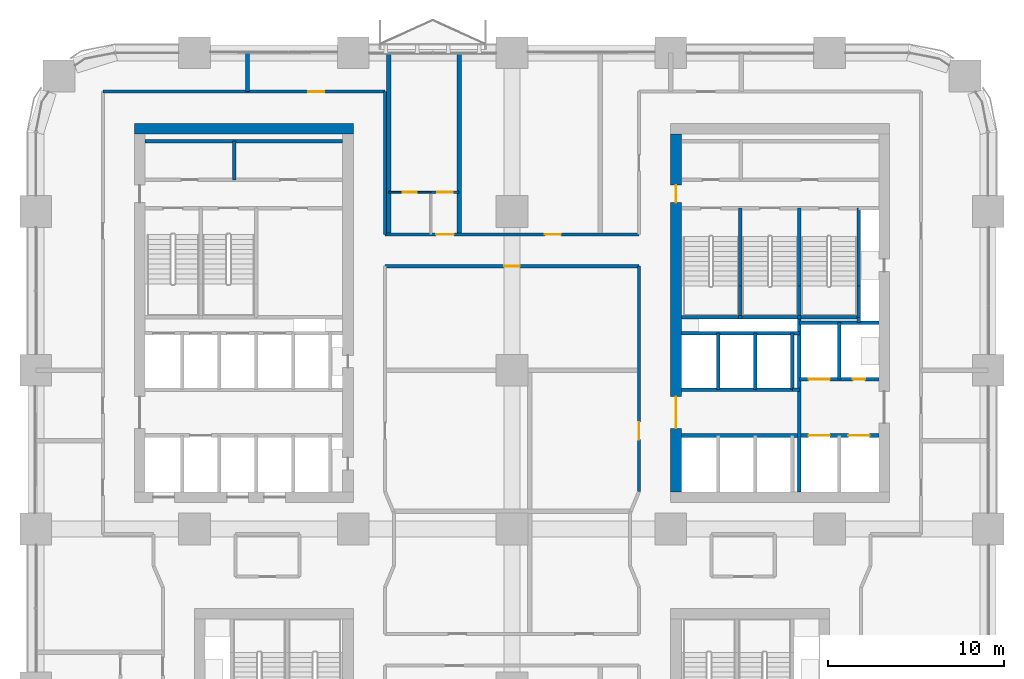
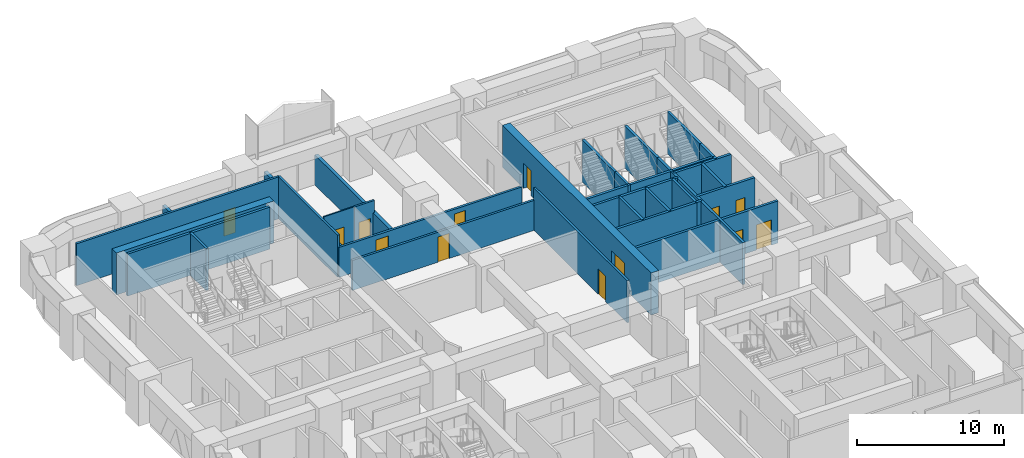
# One storey, part 18 of 23: 37 walls, 13 doors, 13 openings.
"""IFC4 building model written with IfcOpenShell, lengths in metres."""

from ifc_helpers import new_model, si_unit, direction, frame, frame_2d, origin, place, context, subcontext, project, spatial, rectangle, extrude, material, layer, layer_set, type_object, element, fill, save


model = new_model("IFC4")

# Units and contexts
model_context = context("Model", 3, precision=1e-05, world=origin(), true_north=direction((0.0, 1.0)))
body_context = subcontext(model_context, "Body", "Model", "MODEL_VIEW")
ifc_project = project(units=[si_unit("LENGTHUNIT", "METRE"), si_unit("AREAUNIT", "SQUARE_METRE"), si_unit("VOLUMEUNIT", "CUBIC_METRE"), si_unit("PLANEANGLEUNIT", "RADIAN"), si_unit("MASSUNIT", "GRAM", prefix="KILO")], contexts=[model_context])

# Site, building, storey
site_placement = place(None, origin())
site = spatial("IfcSite", under=ifc_project, at=site_placement, CompositionType="ELEMENT")
building_placement = place(site_placement, origin())
building = spatial("IfcBuilding", under=site, at=building_placement, Name="Tessera Arch", CompositionType="ELEMENT")
storey_placement = place(building_placement, frame((0.0, 0.0, 34.800048828125)))
storey = spatial("IfcBuildingStorey", under=building, at=storey_placement, Name="L06", CompositionType="ELEMENT", Elevation=34.800048828125)

# Walls
ifc_material_1 = material(Name="Gypsum board on steel stud", Category="steel")
ifc_layer_1 = layer(ifc_material_1, 0.125)
ifc_layer_set_1 = layer_set([ifc_layer_1], Name="Core partition 125 EI 60")
wall_type_1 = type_object("IfcWallType", Name="Core partition 125 EI 60", PredefinedType="PARTITIONING", material=ifc_layer_set_1)
wall_1_placement = place(storey_placement, frame((42.89990234375, 34.89990234375, 0.0), z_axis=(0.0, 0.0, 1.0), x_axis=(1.0, 0.0, 0.0)))
element("IfcWall", 1, at=wall_1_placement, inside=storey, type_object=wall_type_1, Name="L06 C1 partition wall 19", PredefinedType="PARTITIONING", context=body_context, shape_type="SweptSolid", body=[
    extrude(rectangle(XDim=0.400146484375, YDim=0.199951171875, at=frame_2d((0.2001953125, 0.0))), origin(), (0.0, 0.0, 1.0), 3.5),
])
wall_2_placement = place(storey_placement, frame((11.239990234375, 46.800048828125, 0.0), z_axis=(0.0, 0.0, 1.0), x_axis=(0.0, 1.0, 0.0)))
element("IfcWall", 2, at=wall_2_placement, inside=storey, type_object=wall_type_1, Name="L06 C2 partition wall 7", PredefinedType="PARTITIONING", context=body_context, shape_type="SweptSolid", body=[
    extrude(rectangle(XDim=2.199951171875, YDim=0.199951171875, at=frame_2d((1.10009765625, 0.0))), origin(), (0.0, 0.0, 1.0), 3.5),
])
wall_3_placement = place(storey_placement, frame((6.199951171875, 49.0, 0.0), z_axis=(0.0, 0.0, 1.0), x_axis=(1.0, 0.0, 0.0)))
element("IfcWall", 3, at=wall_3_placement, inside=storey, type_object=wall_type_1, Name="L06 C2 partition wall 26", PredefinedType="PARTITIONING", context=body_context, shape_type="SweptSolid", body=[
    extrude(rectangle(XDim=11.199951171875, YDim=0.199951171875, at=frame_2d((5.60009765625, 0.0))), origin(), (0.0, 0.0, 1.0), 3.5),
])

# Wall, openings, doors
ifc_material_2 = material(Name="Concrete C70/85", Category="concrete")
ifc_layer_2 = layer(ifc_material_2, 0.60009765625)
ifc_layer_set_2 = layer_set([ifc_layer_2], Name="Core shell wall 600 C70-85")
wall_type_2 = type_object("IfcWallType", Name="Core shell wall 600 C70-85", PredefinedType="SHEAR", material=ifc_layer_set_2)
wall_4_placement = place(storey_placement, frame((36.300048828125, 29.10009765625, 0.0), z_axis=(0.0, 0.0, 1.0), x_axis=(0.0, 1.0, 0.0)))
wall_4 = element("IfcWall", 4, at=wall_4_placement, inside=storey, type_object=wall_type_2, Name="L06 C1 core wall W", PredefinedType="SHEAR", context=body_context, shape_type="SweptSolid", body=[
    extrude(rectangle(XDim=20.2998046875, YDim=0.60009765625, at=frame_2d((10.14990234375, 0.0))), origin(), (0.0, 0.0, 1.0), 3.5),
])
opening_1_placement = place(wall_4_placement, frame((3.60009765625, 0.0, 0.0)))
opening_1 = element("IfcOpeningElement", 5, at=opening_1_placement, cuts=wall_4, Name="Opening L06-C04", PredefinedType="OPENING", context=body_context, shape_type="SweptSolid", body=[
    extrude(rectangle(XDim=1.800048828125, YDim=2.10009765625, at=frame_2d((0.89990234375, 1.050048828125))), frame((0.0, 0.31005859375, 0.0), z_axis=(0.0, -1.0, 0.0), x_axis=(1.0, 0.0, 0.0)), (0.0, 0.0, 1.0), 0.6201171875),
])
opening_2_placement = place(wall_4_placement, frame((16.39990234375, 0.0, 0.0)))
opening_2 = element("IfcOpeningElement", 6, at=opening_2_placement, cuts=wall_4, Name="Opening L06-C11", PredefinedType="OPENING", context=body_context, shape_type="SweptSolid", body=[
    extrude(rectangle(XDim=1.0, YDim=2.10009765625, at=frame_2d((0.5, 1.050048828125))), frame((0.0, 0.31005859375, 0.0), z_axis=(0.0, -1.0, 0.0), x_axis=(1.0, 0.0, 0.0)), (0.0, 0.0, 1.0), 0.6201171875),
])
ifc_material_3 = material(Name="Steel door leaf", Category="steel")
door_type_1 = type_object("IfcDoorType", Name="Corridor door FD60 1000 x 2100", OperationType="SINGLE_SWING_LEFT", PredefinedType="DOOR", material=ifc_material_3)
door_1_placement = place(opening_2_placement, origin())
door_1 = element("IfcDoor", 7, at=door_1_placement, inside=storey, type_object=door_type_1, Name="L06 C1 door 11 C11 type D12", OperationType="SINGLE_SWING_RIGHT", OverallHeight=2.10009765625, OverallWidth=1.0, PredefinedType="DOOR", context=body_context, shape_type="SweptSolid", body=[
    extrude(rectangle(XDim=1.0, YDim=2.10009765625, at=frame_2d((0.5, 1.050048828125))), frame((0.0, 0.02490234375, 0.0), z_axis=(0.0, -1.0, 0.0), x_axis=(1.0, 0.0, 0.0)), (0.0, 0.0, 1.0), 0.050048828125),
])
fill(opening_2, door_1)
ifc_material_4 = material(Name="Glazed steel door leaf", Category="steel")
door_type_2 = type_object("IfcDoorType", Name="Lobby double door FD30S 1800 x 2100", OperationType="DOUBLE_DOOR_SINGLE_SWING", PredefinedType="DOOR", material=ifc_material_4)
door_2_placement = place(opening_1_placement, origin())
door_2 = element("IfcDoor", 8, at=door_2_placement, inside=storey, type_object=door_type_2, Name="L06 C1 door 4 C04 type D06", OperationType="DOUBLE_DOOR_SINGLE_SWING", OverallHeight=2.10009765625, OverallWidth=1.800048828125, PredefinedType="DOOR", context=body_context, shape_type="SweptSolid", body=[
    extrude(rectangle(XDim=1.800048828125, YDim=2.10009765625, at=frame_2d((0.89990234375, 1.050048828125))), frame((0.0, 0.02490234375, 0.0), z_axis=(0.0, -1.0, 0.0), x_axis=(1.0, 0.0, 0.0)), (0.0, 0.0, 1.0), 0.050048828125),
])
fill(opening_1, door_2)

# Wall
wall_5_placement = place(storey_placement, frame((5.60009765625, 49.699951171875, 0.0), z_axis=(0.0, 0.0, 1.0), x_axis=(1.0, 0.0, 0.0)))
element("IfcWall", 9, at=wall_5_placement, inside=storey, type_object=wall_type_2, Name="L06 C2 core wall N", PredefinedType="SHEAR", context=body_context, shape_type="SweptSolid", body=[
    extrude(rectangle(XDim=12.39990234375, YDim=0.60009765625, at=frame_2d((6.199951171875, 0.0))), origin(), (0.0, 0.0, 1.0), 3.5),
])

# Wall, opening, door
ifc_material_5 = material(Name="Gypsum board on deep steel stud with mineral wool", Category="steel")
ifc_layer_3 = layer(ifc_material_5, 0.175048828125)
ifc_layer_set_3 = layer_set([ifc_layer_3], Name="Corridor wall 175 EI 60")
wall_type_3 = type_object("IfcWallType", Name="Corridor wall 175 EI 60", PredefinedType="PARTITIONING", material=ifc_layer_set_3)
wall_6_placement = place(storey_placement, frame((19.800048828125, 41.89990234375, 0.0), z_axis=(0.0, 0.0, 1.0), x_axis=(1.0, 0.0, 0.0)))
wall_6 = element("IfcWall", 10, at=wall_6_placement, inside=storey, type_object=wall_type_3, Name="L06 partition 11", PredefinedType="PARTITIONING", context=body_context, shape_type="SweptSolid", body=[
    extrude(rectangle(XDim=14.39990234375, YDim=0.175048828125, at=frame_2d((7.199951171875, 0.0))), origin(), (0.0, 0.0, 1.0), 2.5),
])
opening_3_placement = place(wall_6_placement, frame((6.75, 0.0, 0.0)))
opening_3 = element("IfcOpeningElement", 11, at=opening_3_placement, cuts=wall_6, Name="Opening L06-D033", PredefinedType="OPENING", context=body_context, shape_type="SweptSolid", body=[
    extrude(rectangle(XDim=0.89990234375, YDim=2.10009765625, at=frame_2d((0.449951171875, 1.050048828125))), frame((0.0, 0.097412109375, 0.0), z_axis=(0.0, -1.0, 0.0), x_axis=(1.0, 0.0, 0.0)), (0.0, 0.0, 1.0), 0.195068359375),
])
ifc_material_6 = material(Name="Timber door leaf", Category="wood")
door_type_3 = type_object("IfcDoorType", Name="Room door 900 x 2100", OperationType="SINGLE_SWING_LEFT", PredefinedType="DOOR", material=ifc_material_6)
door_3_placement = place(opening_3_placement, origin())
door_3 = element("IfcDoor", 12, at=door_3_placement, inside=storey, type_object=door_type_3, Name="L06 door D033 type D01", OperationType="SINGLE_SWING_LEFT", OverallHeight=2.10009765625, OverallWidth=0.89990234375, PredefinedType="DOOR", context=body_context, shape_type="SweptSolid", body=[
    extrude(rectangle(XDim=0.89990234375, YDim=2.10009765625, at=frame_2d((0.449951171875, 1.050048828125))), frame((0.0, 0.02490234375, 0.0), z_axis=(0.0, -1.0, 0.0), x_axis=(1.0, 0.0, 0.0)), (0.0, 0.0, 1.0), 0.050048828125),
])
fill(opening_3, door_3)

# Wall, openings, doors
wall_7_placement = place(storey_placement, frame((19.800048828125, 43.699951171875, 0.0), z_axis=(0.0, 0.0, 1.0), x_axis=(1.0, 0.0, 0.0)))
wall_7 = element("IfcWall", 13, at=wall_7_placement, inside=storey, type_object=wall_type_3, Name="L06 partition 12", PredefinedType="PARTITIONING", context=body_context, shape_type="SweptSolid", body=[
    extrude(rectangle(XDim=14.39990234375, YDim=0.175048828125, at=frame_2d((7.199951171875, 0.0))), origin(), (0.0, 0.0, 1.0), 2.5),
])
opening_4_placement = place(wall_7_placement, frame((2.89990234375, 0.0, 0.0)))
opening_4 = element("IfcOpeningElement", 14, at=opening_4_placement, cuts=wall_7, Name="Opening L06-D036", PredefinedType="OPENING", context=body_context, shape_type="SweptSolid", body=[
    extrude(rectangle(XDim=1.0, YDim=2.10009765625, at=frame_2d((0.5, 1.050048828125))), frame((0.0, 0.097412109375, 0.0), z_axis=(0.0, -1.0, 0.0), x_axis=(1.0, 0.0, 0.0)), (0.0, 0.0, 1.0), 0.195068359375),
])
opening_5_placement = place(wall_7_placement, frame((9.070068359375, 0.0, 0.0)))
opening_5 = element("IfcOpeningElement", 15, at=opening_5_placement, cuts=wall_7, Name="Opening L06-D039", PredefinedType="OPENING", context=body_context, shape_type="SweptSolid", body=[
    extrude(rectangle(XDim=0.89990234375, YDim=2.10009765625, at=frame_2d((0.449951171875, 1.050048828125))), frame((0.0, 0.097412109375, 0.0), z_axis=(0.0, -1.0, 0.0), x_axis=(1.0, 0.0, 0.0)), (0.0, 0.0, 1.0), 0.195068359375),
])
ifc_material_7 = material(Name="Fire-rated door leaf")
door_type_4 = type_object("IfcDoorType", Name="Entrance door FD30S 1000 x 2100", OperationType="SINGLE_SWING_LEFT", PredefinedType="DOOR", material=ifc_material_7)
door_4_placement = place(opening_4_placement, origin())
door_4 = element("IfcDoor", 16, at=door_4_placement, inside=storey, type_object=door_type_4, Name="L06 door D036 type D03", OperationType="SINGLE_SWING_LEFT", OverallHeight=2.10009765625, OverallWidth=1.0, PredefinedType="DOOR", context=body_context, shape_type="SweptSolid", body=[
    extrude(rectangle(XDim=1.0, YDim=2.10009765625, at=frame_2d((0.5, 1.050048828125))), frame((0.0, 0.02490234375, 0.0), z_axis=(0.0, -1.0, 0.0), x_axis=(1.0, 0.0, 0.0)), (0.0, 0.0, 1.0), 0.050048828125),
])
fill(opening_4, door_4)
door_5_placement = place(opening_5_placement, origin())
door_5 = element("IfcDoor", 17, at=door_5_placement, inside=storey, type_object=door_type_3, Name="L06 door D039 type D01", OperationType="SINGLE_SWING_RIGHT", OverallHeight=2.10009765625, OverallWidth=0.89990234375, PredefinedType="DOOR", context=body_context, shape_type="SweptSolid", body=[
    extrude(rectangle(XDim=0.89990234375, YDim=2.10009765625, at=frame_2d((0.449951171875, 1.050048828125))), frame((0.0, 0.02490234375, 0.0), z_axis=(0.0, -1.0, 0.0), x_axis=(1.0, 0.0, 0.0)), (0.0, 0.0, 1.0), 0.050048828125),
])
fill(opening_5, door_5)

# Wall, opening, door
wall_8_placement = place(storey_placement, frame((3.800048828125, 51.800048828125, 0.0), z_axis=(0.0, 0.0, 1.0), x_axis=(1.0, 0.0, 0.0)))
wall_8 = element("IfcWall", 18, at=wall_8_placement, inside=storey, type_object=wall_type_3, Name="L06 partition 13", PredefinedType="PARTITIONING", context=body_context, shape_type="SweptSolid", body=[
    extrude(rectangle(XDim=16.0, YDim=0.175048828125, at=frame_2d((8.0, 0.0))), origin(), (0.0, 0.0, 1.0), 3.5),
])
opening_6_placement = place(wall_8_placement, frame((11.64990234375, 0.0, 0.0)))
opening_6 = element("IfcOpeningElement", 19, at=opening_6_placement, cuts=wall_8, Name="Opening L06-D041", PredefinedType="OPENING", context=body_context, shape_type="SweptSolid", body=[
    extrude(rectangle(XDim=0.89990234375, YDim=2.10009765625, at=frame_2d((0.449951171875, 1.050048828125))), frame((0.0, 0.097412109375, 0.0), z_axis=(0.0, -1.0, 0.0), x_axis=(1.0, 0.0, 0.0)), (0.0, 0.0, 1.0), 0.195068359375),
])
door_6_placement = place(opening_6_placement, origin())
door_6 = element("IfcDoor", 20, at=door_6_placement, inside=storey, type_object=door_type_3, Name="L06 door D041 type D01", OperationType="SINGLE_SWING_RIGHT", OverallHeight=2.10009765625, OverallWidth=0.89990234375, PredefinedType="DOOR", context=body_context, shape_type="SweptSolid", body=[
    extrude(rectangle(XDim=0.89990234375, YDim=2.10009765625, at=frame_2d((0.449951171875, 1.050048828125))), frame((0.0, 0.02490234375, 0.0), z_axis=(0.0, -1.0, 0.0), x_axis=(1.0, 0.0, 0.0)), (0.0, 0.0, 1.0), 0.050048828125),
])
fill(opening_6, door_6)

# Wall
wall_9_placement = place(storey_placement, frame((19.800048828125, 43.699951171875, 0.0), z_axis=(0.0, 0.0, 1.0), x_axis=(0.0, 1.0, 0.0)))
element("IfcWall", 21, at=wall_9_placement, inside=storey, type_object=wall_type_3, Name="L06 partition 23", PredefinedType="PARTITIONING", context=body_context, shape_type="SweptSolid", body=[
    extrude(rectangle(XDim=8.10009765625, YDim=0.175048828125, at=frame_2d((4.050048828125, 0.0))), origin(), (0.0, 0.0, 1.0), 3.5),
])

# Wall, opening, door
wall_10_placement = place(storey_placement, frame((34.199951171875, 29.1201171875, 0.0), z_axis=(0.0, 0.0, 1.0), x_axis=(0.0, 1.0, 0.0)))
wall_10 = element("IfcWall", 22, at=wall_10_placement, inside=storey, type_object=wall_type_3, Name="L06 partition 28", PredefinedType="PARTITIONING", context=body_context, shape_type="SweptSolid", body=[
    extrude(rectangle(XDim=12.77978515625, YDim=0.175048828125, at=frame_2d((6.389892578125, 0.0))), origin(), (0.0, 0.0, 1.0), 3.5),
])
opening_7_placement = place(wall_10_placement, frame((2.93994140625, 0.0, 0.0)))
opening_7 = element("IfcOpeningElement", 23, at=opening_7_placement, cuts=wall_10, Name="Opening L06-D030", PredefinedType="OPENING", context=body_context, shape_type="SweptSolid", body=[
    extrude(rectangle(XDim=1.0, YDim=2.10009765625, at=frame_2d((0.5, 1.050048828125))), frame((0.0, 0.097412109375, 0.0), z_axis=(0.0, -1.0, 0.0), x_axis=(1.0, 0.0, 0.0)), (0.0, 0.0, 1.0), 0.195068359375),
])
door_7_placement = place(opening_7_placement, origin())
door_7 = element("IfcDoor", 24, at=door_7_placement, inside=storey, type_object=door_type_4, Name="L06 door D030 type D03", OperationType="SINGLE_SWING_LEFT", OverallHeight=2.10009765625, OverallWidth=1.0, PredefinedType="DOOR", context=body_context, shape_type="SweptSolid", body=[
    extrude(rectangle(XDim=1.0, YDim=2.10009765625, at=frame_2d((0.5, 1.050048828125))), frame((0.0, 0.02490234375, 0.0), z_axis=(0.0, -1.0, 0.0), x_axis=(1.0, 0.0, 0.0)), (0.0, 0.0, 1.0), 0.050048828125),
])
fill(opening_7, door_7)

ifc_material_8 = material(Name="Gypsum board on steel stud", Category="steel")
ifc_layer_4 = layer(ifc_material_8, 0.14990234375)
ifc_layer_set_4 = layer_set([ifc_layer_4], Name="Partition 150")
wall_type_4 = type_object("IfcWallType", Name="Partition 150", PredefinedType="PARTITIONING", material=ifc_layer_set_4)
wall_11_placement = place(storey_placement, frame((22.39990234375, 46.10009765625, 0.0), z_axis=(0.0, 0.0, 1.0), x_axis=(1.0, 0.0, 0.0)))
wall_11 = element("IfcWall", 25, at=wall_11_placement, inside=storey, type_object=wall_type_4, Name="L06 partition 37", PredefinedType="PARTITIONING", context=body_context, shape_type="SweptSolid", body=[
    extrude(rectangle(XDim=1.60009765625, YDim=0.14990234375, at=frame_2d((0.800048828125, 0.0))), origin(), (0.0, 0.0, 1.0), 3.5),
])
opening_8_placement = place(wall_11_placement, frame((0.35009765625, 0.0, 0.0)))
opening_8 = element("IfcOpeningElement", 26, at=opening_8_placement, cuts=wall_11, Name="Opening L06-D037", PredefinedType="OPENING", context=body_context, shape_type="SweptSolid", body=[
    extrude(rectangle(XDim=0.89990234375, YDim=2.10009765625, at=frame_2d((0.449951171875, 1.050048828125))), frame((0.0, 0.0849609375, 0.0), z_axis=(0.0, -1.0, 0.0), x_axis=(1.0, 0.0, 0.0)), (0.0, 0.0, 1.0), 0.169921875),
])
door_8_placement = place(opening_8_placement, origin())
door_8 = element("IfcDoor", 27, at=door_8_placement, inside=storey, type_object=door_type_3, Name="L06 door D037 type D01", OperationType="SINGLE_SWING_RIGHT", OverallHeight=2.10009765625, OverallWidth=0.89990234375, PredefinedType="DOOR", context=body_context, shape_type="SweptSolid", body=[
    extrude(rectangle(XDim=0.89990234375, YDim=2.10009765625, at=frame_2d((0.449951171875, 1.050048828125))), frame((0.0, 0.02490234375, 0.0), z_axis=(0.0, -1.0, 0.0), x_axis=(1.0, 0.0, 0.0)), (0.0, 0.0, 1.0), 0.050048828125),
])
fill(opening_8, door_8)

# Walls
ifc_material_9 = material(Name="Double gypsum board on twin steel stud with acoustic mineral wool", Category="steel")
ifc_layer_5 = layer(ifc_material_9, 0.25)
ifc_layer_set_5 = layer_set([ifc_layer_5], Name="Party wall 250 EI 60")
wall_type_5 = type_object("IfcWallType", Name="Party wall 250 EI 60", PredefinedType="PARTITIONING", material=ifc_layer_set_5)
wall_12_placement = place(storey_placement, frame((12.0, 51.800048828125, 0.0), z_axis=(0.0, 0.0, 1.0), x_axis=(0.0, 1.0, 0.0)))
element("IfcWall", 28, at=wall_12_placement, inside=storey, type_object=wall_type_5, Name="L06 partition 57", PredefinedType="PARTITIONING", context=body_context, shape_type="SweptSolid", body=[
    extrude(rectangle(XDim=2.199951171875, YDim=0.25, at=frame_2d((1.10009765625, 0.0))), origin(), (0.0, 0.0, 1.0), 2.5),
])
for number, where, z_axis, x_axis, name in (
    (29, (20.0, 43.699951171875, 0.0), (0.0, 0.0, 1.0), (0.0, 1.0, 0.0), "L06 partition 59"),
    (30, (24.0, 43.699951171875, 0.0), (0.0, 0.0, 1.0), (0.0, 1.0, 0.0), "L06 partition 61"),
):
    element("IfcWall", number, at=place(storey_placement, frame(where, z_axis=z_axis, x_axis=x_axis)), inside=storey, type_object=wall_type_5, Name=name, PredefinedType="PARTITIONING", context=body_context, shape_type="SweptSolid", body=[
        extrude(rectangle(XDim=10.300048828125, YDim=0.25, at=frame_2d((5.14990234375, 0.0))), origin(), (0.0, 0.0, 1.0), 2.5),
    ])
ifc_material_10 = material(Name="Concrete C40/50", Category="concrete")
ifc_layer_6 = layer(ifc_material_10, 0.199951171875)
ifc_layer_set_6 = layer_set([ifc_layer_6], Name="Shaft wall 200 EI 120")
wall_type_6 = type_object("IfcWallType", Name="Shaft wall 200 EI 120", PredefinedType="SOLIDWALL", material=ifc_layer_set_6)
for number, where, z_axis, x_axis, name in (
    (31, (38.699951171875, 34.89990234375, 0.0), (0.0, 0.0, 1.0), (0.0, 1.0, 0.0), "L06 C1 shaft wall 2"),
    (32, (40.800048828125, 34.89990234375, 0.0), (0.0, 0.0, 1.0), (0.0, 1.0, 0.0), "L06 C1 shaft wall 7"),
    (33, (42.89990234375, 34.89990234375, 0.0), (0.0, 0.0, 1.0), (0.0, 1.0, 0.0), "L06 C1 shaft wall 9"),
):
    element("IfcWall", number, at=place(storey_placement, frame(where, z_axis=z_axis, x_axis=x_axis)), inside=storey, type_object=wall_type_6, Name=name, PredefinedType="SOLIDWALL", context=body_context, shape_type="SweptSolid", body=[
        extrude(rectangle(XDim=3.2001953125, YDim=0.199951171875, at=frame_2d((1.60009765625, 0.0))), origin(), (0.0, 0.0, 1.0), 3.5),
    ])
wall_13_placement = place(storey_placement, frame((43.300048828125, 29.10009765625, 0.0), z_axis=(0.0, 0.0, 1.0), x_axis=(0.0, 1.0, 0.0)))
element("IfcWall", 34, at=wall_13_placement, inside=storey, type_object=wall_type_6, Name="L06 C1 shaft wall 10", PredefinedType="SOLIDWALL", context=body_context, shape_type="SweptSolid", body=[
    extrude(rectangle(XDim=9.89990234375, YDim=0.199951171875, at=frame_2d((4.949951171875, 0.0))), origin(), (0.0, 0.0, 1.0), 3.5),
])
wall_14_placement = place(storey_placement, frame((45.550048828125, 35.5, 0.0), z_axis=(0.0, 0.0, 1.0), x_axis=(0.0, 1.0, 0.0)))
element("IfcWall", 35, at=wall_14_placement, inside=storey, type_object=wall_type_6, Name="L06 C1 shaft wall 14", PredefinedType="SOLIDWALL", context=body_context, shape_type="SweptSolid", body=[
    extrude(rectangle(XDim=3.199951171875, YDim=0.199951171875, at=frame_2d((1.60009765625, 0.0))), origin(), (0.0, 0.0, 1.0), 3.5),
])
wall_15_placement = place(storey_placement, frame((46.64990234375, 38.699951171875, 0.0), z_axis=(0.0, 0.0, 1.0), x_axis=(0.0, 1.0, 0.0)))
element("IfcWall", 36, at=wall_15_placement, inside=storey, type_object=wall_type_6, Name="L06 C1 shaft wall 15", PredefinedType="SOLIDWALL", context=body_context, shape_type="SweptSolid", body=[
    extrude(rectangle(XDim=0.300048828125, YDim=0.199951171875, at=frame_2d((0.14990234375, 0.0))), origin(), (0.0, 0.0, 1.0), 3.5),
])

# Wall, openings, doors
wall_16_placement = place(storey_placement, frame((36.60009765625, 32.300048828125, 0.0), z_axis=(0.0, 0.0, 1.0), x_axis=(1.0, 0.0, 0.0)))
wall_16 = element("IfcWall", 37, at=wall_16_placement, inside=storey, type_object=wall_type_6, Name="L06 C1 shaft wall 18", PredefinedType="SOLIDWALL", context=body_context, shape_type="SweptSolid", body=[
    extrude(rectangle(XDim=11.199951171875, YDim=0.199951171875, at=frame_2d((5.60009765625, 0.0))), origin(), (0.0, 0.0, 1.0), 3.5),
])
opening_9_placement = place(wall_16_placement, frame((7.22509765625, 0.0, 0.0)))
opening_9 = element("IfcOpeningElement", 38, at=opening_9_placement, cuts=wall_16, Name="Opening L06-C01", PredefinedType="OPENING", context=body_context, shape_type="SweptSolid", body=[
    extrude(rectangle(XDim=1.199951171875, YDim=2.10009765625, at=frame_2d((0.60009765625, 1.050048828125))), frame((0.0, 0.10986328125, 0.0), z_axis=(0.0, -1.0, 0.0), x_axis=(1.0, 0.0, 0.0)), (0.0, 0.0, 1.0), 0.219970703125),
])
opening_10_placement = place(wall_16_placement, frame((9.47509765625, 0.0, 0.0)))
opening_10 = element("IfcOpeningElement", 39, at=opening_10_placement, cuts=wall_16, Name="Opening L06-C02", PredefinedType="OPENING", context=body_context, shape_type="SweptSolid", body=[
    extrude(rectangle(XDim=1.199951171875, YDim=2.10009765625, at=frame_2d((0.60009765625, 1.050048828125))), frame((0.0, 0.10986328125, 0.0), z_axis=(0.0, -1.0, 0.0), x_axis=(1.0, 0.0, 0.0)), (0.0, 0.0, 1.0), 0.219970703125),
])
ifc_material_11 = material(Name="Stainless steel AISI 304", Category="steel")
door_type_5 = type_object("IfcDoorType", Name="Sliding landing door 1200 x 2100", OperationType="SLIDING_TO_LEFT", PredefinedType="DOOR", material=ifc_material_11)
door_9_placement = place(opening_9_placement, origin())
door_9 = element("IfcDoor", 40, at=door_9_placement, inside=storey, type_object=door_type_5, Name="L06 FF1 lift landing door C01 type LD", OperationType="SLIDING_TO_LEFT", OverallHeight=2.10009765625, OverallWidth=1.199951171875, PredefinedType="DOOR", context=body_context, shape_type="SweptSolid", body=[
    extrude(rectangle(XDim=1.199951171875, YDim=2.10009765625, at=frame_2d((0.60009765625, 1.050048828125))), frame((0.0, 0.02490234375, 0.0), z_axis=(0.0, -1.0, 0.0), x_axis=(1.0, 0.0, 0.0)), (0.0, 0.0, 1.0), 0.050048828125),
])
fill(opening_9, door_9)
door_10_placement = place(opening_10_placement, origin())
door_10 = element("IfcDoor", 41, at=door_10_placement, inside=storey, type_object=door_type_5, Name="L06 FF2 lift landing door C02 type LD", OperationType="SLIDING_TO_LEFT", OverallHeight=2.10009765625, OverallWidth=1.199951171875, PredefinedType="DOOR", context=body_context, shape_type="SweptSolid", body=[
    extrude(rectangle(XDim=1.199951171875, YDim=2.10009765625, at=frame_2d((0.60009765625, 1.050048828125))), frame((0.0, 0.02490234375, 0.0), z_axis=(0.0, -1.0, 0.0), x_axis=(1.0, 0.0, 0.0)), (0.0, 0.0, 1.0), 0.050048828125),
])
fill(opening_10, door_10)

# Wall
wall_17_placement = place(storey_placement, frame((36.60009765625, 34.89990234375, 0.0), z_axis=(0.0, 0.0, 1.0), x_axis=(1.0, 0.0, 0.0)))
element("IfcWall", 42, at=wall_17_placement, inside=storey, type_object=wall_type_6, Name="L06 C1 shaft wall 20", PredefinedType="SOLIDWALL", context=body_context, shape_type="SweptSolid", body=[
    extrude(rectangle(XDim=6.2998046875, YDim=0.199951171875, at=frame_2d((3.14990234375, 0.0))), origin(), (0.0, 0.0, 1.0), 3.5),
])

# Wall, openings, doors
wall_18_placement = place(storey_placement, frame((43.300048828125, 35.5, 0.0), z_axis=(0.0, 0.0, 1.0), x_axis=(1.0, 0.0, 0.0)))
wall_18 = element("IfcWall", 43, at=wall_18_placement, inside=storey, type_object=wall_type_6, Name="L06 C1 shaft wall 21", PredefinedType="SOLIDWALL", context=body_context, shape_type="SweptSolid", body=[
    extrude(rectangle(XDim=4.5, YDim=0.199951171875, at=frame_2d((2.25, 0.0))), origin(), (0.0, 0.0, 1.0), 3.5),
])
opening_11_placement = place(wall_18_placement, frame((0.52490234375, 0.0, 0.0)))
opening_11 = element("IfcOpeningElement", 44, at=opening_11_placement, cuts=wall_18, Name="Opening L06-C03", PredefinedType="OPENING", context=body_context, shape_type="SweptSolid", body=[
    extrude(rectangle(XDim=1.199951171875, YDim=2.10009765625, at=frame_2d((0.60009765625, 1.050048828125))), frame((0.0, 0.10986328125, 0.0), z_axis=(0.0, -1.0, 0.0), x_axis=(1.0, 0.0, 0.0)), (0.0, 0.0, 1.0), 0.219970703125),
])
opening_12_placement = place(wall_18_placement, frame((3.02490234375, 0.0, 0.0)))
opening_12 = element("IfcOpeningElement", 45, at=opening_12_placement, cuts=wall_18, Name="Opening L06-C10", PredefinedType="OPENING", context=body_context, shape_type="SweptSolid", body=[
    extrude(rectangle(XDim=0.699951171875, YDim=2.10009765625, at=frame_2d((0.35009765625, 1.050048828125))), frame((0.0, 0.10986328125, 0.0), z_axis=(0.0, -1.0, 0.0), x_axis=(1.0, 0.0, 0.0)), (0.0, 0.0, 1.0), 0.219970703125),
])
ifc_material_12 = material(Name="Steel door leaf", Category="steel")
door_type_6 = type_object("IfcDoorType", Name="Service shaft door FD60 700 x 2100", OperationType="SINGLE_SWING_LEFT", PredefinedType="DOOR", material=ifc_material_12)
door_11_placement = place(opening_12_placement, origin())
door_11 = element("IfcDoor", 46, at=door_11_placement, inside=storey, type_object=door_type_6, Name="L06 C1 door 10 C10 type D07", OperationType="SINGLE_SWING_RIGHT", OverallHeight=2.10009765625, OverallWidth=0.699951171875, PredefinedType="DOOR", context=body_context, shape_type="SweptSolid", body=[
    extrude(rectangle(XDim=0.699951171875, YDim=2.10009765625, at=frame_2d((0.35009765625, 1.050048828125))), frame((0.0, 0.02490234375, 0.0), z_axis=(0.0, -1.0, 0.0), x_axis=(1.0, 0.0, 0.0)), (0.0, 0.0, 1.0), 0.050048828125),
])
fill(opening_12, door_11)
door_12_placement = place(opening_11_placement, origin())
door_12 = element("IfcDoor", 47, at=door_12_placement, inside=storey, type_object=door_type_5, Name="L06 SV2 lift landing door C03 type LD", OperationType="SLIDING_TO_LEFT", OverallHeight=2.10009765625, OverallWidth=1.199951171875, PredefinedType="DOOR", context=body_context, shape_type="SweptSolid", body=[
    extrude(rectangle(XDim=1.199951171875, YDim=2.10009765625, at=frame_2d((0.60009765625, 1.050048828125))), frame((0.0, 0.02490234375, 0.0), z_axis=(0.0, -1.0, 0.0), x_axis=(1.0, 0.0, 0.0)), (0.0, 0.0, 1.0), 0.050048828125),
])
fill(opening_11, door_12)

# Walls
wall_19_placement = place(storey_placement, frame((36.60009765625, 38.10009765625, 0.0), z_axis=(0.0, 0.0, 1.0), x_axis=(1.0, 0.0, 0.0)))
element("IfcWall", 48, at=wall_19_placement, inside=storey, type_object=wall_type_6, Name="L06 C1 shaft wall 22", PredefinedType="SOLIDWALL", context=body_context, shape_type="SweptSolid", body=[
    extrude(rectangle(XDim=6.699951171875, YDim=0.199951171875, at=frame_2d((3.35009765625, 0.0))), origin(), (0.0, 0.0, 1.0), 3.5),
])
wall_20_placement = place(storey_placement, frame((43.300048828125, 38.699951171875, 0.0), z_axis=(0.0, 0.0, 1.0), x_axis=(1.0, 0.0, 0.0)))
element("IfcWall", 49, at=wall_20_placement, inside=storey, type_object=wall_type_6, Name="L06 C1 shaft wall 23", PredefinedType="SOLIDWALL", context=body_context, shape_type="SweptSolid", body=[
    extrude(rectangle(XDim=4.5, YDim=0.199951171875, at=frame_2d((2.25, 0.0))), origin(), (0.0, 0.0, 1.0), 3.5),
])
ifc_material_13 = material(Name="Concrete C40/50", Category="concrete")
ifc_layer_7 = layer(ifc_material_13, 0.199951171875)
ifc_layer_set_7 = layer_set([ifc_layer_7], Name="Stair well wall 200 REI 180")
wall_type_7 = type_object("IfcWallType", Name="Stair well wall 200 REI 180", PredefinedType="SOLIDWALL", material=ifc_layer_set_7)
wall_21_placement = place(storey_placement, frame((39.949951171875, 39.0, 0.0), z_axis=(0.0, 0.0, 1.0), x_axis=(0.0, 1.0, 0.0)))
element("IfcWall", 50, at=wall_21_placement, inside=storey, type_object=wall_type_7, Name="L06 C1 shaft wall 3", PredefinedType="SOLIDWALL", context=body_context, shape_type="SweptSolid", body=[
    extrude(rectangle(XDim=1.780029296875, YDim=0.199951171875, at=frame_2d((0.89013671875, 0.0))), origin(), (0.0, 0.0, 1.0), 3.5),
])
wall_22_placement = place(storey_placement, frame((39.949951171875, 40.780029296875, 0.0), z_axis=(0.0, 0.0, 1.0), x_axis=(0.0, 1.0, 0.0)))
element("IfcWall", 51, at=wall_22_placement, inside=storey, type_object=wall_type_7, Name="L06 C1 shaft wall 4", PredefinedType="SOLIDWALL", context=body_context, shape_type="SweptSolid", body=[
    extrude(rectangle(XDim=4.419921875, YDim=0.199951171875, at=frame_2d((2.2099609375, 0.0))), origin(), (0.0, 0.0, 1.0), 3.5),
])
wall_23_placement = place(storey_placement, frame((43.300048828125, 39.0, 0.0), z_axis=(0.0, 0.0, 1.0), x_axis=(0.0, 1.0, 0.0)))
element("IfcWall", 52, at=wall_23_placement, inside=storey, type_object=wall_type_7, Name="L06 C1 shaft wall 11", PredefinedType="SOLIDWALL", context=body_context, shape_type="SweptSolid", body=[
    extrude(rectangle(XDim=1.780029296875, YDim=0.199951171875, at=frame_2d((0.89013671875, 0.0))), origin(), (0.0, 0.0, 1.0), 3.5),
])
wall_24_placement = place(storey_placement, frame((43.300048828125, 40.780029296875, 0.0), z_axis=(0.0, 0.0, 1.0), x_axis=(0.0, 1.0, 0.0)))
element("IfcWall", 53, at=wall_24_placement, inside=storey, type_object=wall_type_7, Name="L06 C1 shaft wall 12", PredefinedType="SOLIDWALL", context=body_context, shape_type="SweptSolid", body=[
    extrude(rectangle(XDim=4.419921875, YDim=0.199951171875, at=frame_2d((2.2099609375, 0.0))), origin(), (0.0, 0.0, 1.0), 3.5),
])
wall_25_placement = place(storey_placement, frame((46.64990234375, 39.0, 0.0), z_axis=(0.0, 0.0, 1.0), x_axis=(0.0, 1.0, 0.0)))
element("IfcWall", 54, at=wall_25_placement, inside=storey, type_object=wall_type_7, Name="L06 C1 shaft wall 16", PredefinedType="SOLIDWALL", context=body_context, shape_type="SweptSolid", body=[
    extrude(rectangle(XDim=1.780029296875, YDim=0.199951171875, at=frame_2d((0.89013671875, 0.0))), origin(), (0.0, 0.0, 1.0), 3.5),
])
wall_26_placement = place(storey_placement, frame((46.64990234375, 40.780029296875, 0.0), z_axis=(0.0, 0.0, 1.0), x_axis=(0.0, 1.0, 0.0)))
element("IfcWall", 55, at=wall_26_placement, inside=storey, type_object=wall_type_7, Name="L06 C1 shaft wall 17", PredefinedType="SOLIDWALL", context=body_context, shape_type="SweptSolid", body=[
    extrude(rectangle(XDim=4.419921875, YDim=0.199951171875, at=frame_2d((2.2099609375, 0.0))), origin(), (0.0, 0.0, 1.0), 3.5),
])
wall_27_placement = place(storey_placement, frame((36.60009765625, 39.0, 0.0), z_axis=(0.0, 0.0, 1.0), x_axis=(1.0, 0.0, 0.0)))
element("IfcWall", 56, at=wall_27_placement, inside=storey, type_object=wall_type_7, Name="L06 C1 shaft wall 24", PredefinedType="SOLIDWALL", context=body_context, shape_type="SweptSolid", body=[
    extrude(rectangle(XDim=3.25, YDim=0.199951171875, at=frame_2d((1.625, 0.0))), origin(), (0.0, 0.0, 1.0), 3.5),
])
wall_28_placement = place(storey_placement, frame((39.85009765625, 39.0, 0.0), z_axis=(0.0, 0.0, 1.0), x_axis=(1.0, 0.0, 0.0)))
element("IfcWall", 57, at=wall_28_placement, inside=storey, type_object=wall_type_7, Name="L06 C1 shaft wall 25", PredefinedType="SOLIDWALL", context=body_context, shape_type="SweptSolid", body=[
    extrude(rectangle(XDim=0.199951171875, YDim=0.199951171875, at=frame_2d((0.10009765625, 0.0))), origin(), (0.0, 0.0, 1.0), 3.5),
])
wall_29_placement = place(storey_placement, frame((40.050048828125, 39.0, 0.0), z_axis=(0.0, 0.0, 1.0), x_axis=(1.0, 0.0, 0.0)))
element("IfcWall", 58, at=wall_29_placement, inside=storey, type_object=wall_type_7, Name="L06 C1 shaft wall 26", PredefinedType="SOLIDWALL", context=body_context, shape_type="SweptSolid", body=[
    extrude(rectangle(XDim=3.14990234375, YDim=0.199951171875, at=frame_2d((1.574951171875, 0.0))), origin(), (0.0, 0.0, 1.0), 3.5),
])
wall_30_placement = place(storey_placement, frame((43.199951171875, 39.0, 0.0), z_axis=(0.0, 0.0, 1.0), x_axis=(1.0, 0.0, 0.0)))
element("IfcWall", 59, at=wall_30_placement, inside=storey, type_object=wall_type_7, Name="L06 C1 shaft wall 27", PredefinedType="SOLIDWALL", context=body_context, shape_type="SweptSolid", body=[
    extrude(rectangle(XDim=0.199951171875, YDim=0.199951171875, at=frame_2d((0.10009765625, 0.0))), origin(), (0.0, 0.0, 1.0), 3.5),
])
wall_31_placement = place(storey_placement, frame((43.39990234375, 39.0, 0.0), z_axis=(0.0, 0.0, 1.0), x_axis=(1.0, 0.0, 0.0)))
element("IfcWall", 60, at=wall_31_placement, inside=storey, type_object=wall_type_7, Name="L06 C1 shaft wall 28", PredefinedType="SOLIDWALL", context=body_context, shape_type="SweptSolid", body=[
    extrude(rectangle(XDim=3.25, YDim=0.199951171875, at=frame_2d((1.625, 0.0))), origin(), (0.0, 0.0, 1.0), 3.5),
])

# Wall, opening, door
ifc_material_14 = material(Name="Moisture-resistant board on pre-plumbed steel stud", Category="steel")
ifc_layer_8 = layer(ifc_material_14, 0.10009765625)
ifc_layer_set_8 = layer_set([ifc_layer_8], Name="Wet wall 100")
wall_type_8 = type_object("IfcWallType", Name="Wet wall 100", PredefinedType="PARTITIONING", material=ifc_layer_set_8)
wall_32_placement = place(storey_placement, frame((20.0, 46.10009765625, 0.0), z_axis=(0.0, 0.0, 1.0), x_axis=(1.0, 0.0, 0.0)))
wall_32 = element("IfcWall", 61, at=wall_32_placement, inside=storey, type_object=wall_type_8, Name="L06 partition 74", PredefinedType="PARTITIONING", context=body_context, shape_type="SweptSolid", body=[
    extrude(rectangle(XDim=2.39990234375, YDim=0.10009765625, at=frame_2d((1.199951171875, 0.0))), origin(), (0.0, 0.0, 1.0), 3.5),
])
opening_13_placement = place(wall_32_placement, frame((0.800048828125, 0.0, 0.0)))
opening_13 = element("IfcOpeningElement", 62, at=opening_13_placement, cuts=wall_32, Name="Opening L06-D038", PredefinedType="OPENING", context=body_context, shape_type="SweptSolid", body=[
    extrude(rectangle(XDim=0.800048828125, YDim=2.10009765625, at=frame_2d((0.39990234375, 1.050048828125))), frame((0.0, 0.06005859375, 0.0), z_axis=(0.0, -1.0, 0.0), x_axis=(1.0, 0.0, 0.0)), (0.0, 0.0, 1.0), 0.1201171875),
])
ifc_material_15 = material(Name="Timber door leaf", Category="wood")
door_type_7 = type_object("IfcDoorType", Name="En-suite door 800 x 2100", OperationType="SINGLE_SWING_LEFT", PredefinedType="DOOR", material=ifc_material_15)
door_13_placement = place(opening_13_placement, origin())
door_13 = element("IfcDoor", 63, at=door_13_placement, inside=storey, type_object=door_type_7, Name="L06 door D038 type D02", OperationType="SINGLE_SWING_LEFT", OverallHeight=2.10009765625, OverallWidth=0.800048828125, PredefinedType="DOOR", context=body_context, shape_type="SweptSolid", body=[
    extrude(rectangle(XDim=0.800048828125, YDim=2.10009765625, at=frame_2d((0.39990234375, 1.050048828125))), frame((0.0, 0.02490234375, 0.0), z_axis=(0.0, -1.0, 0.0), x_axis=(1.0, 0.0, 0.0)), (0.0, 0.0, 1.0), 0.050048828125),
])
fill(opening_13, door_13)

save(model, "model.ifc")
